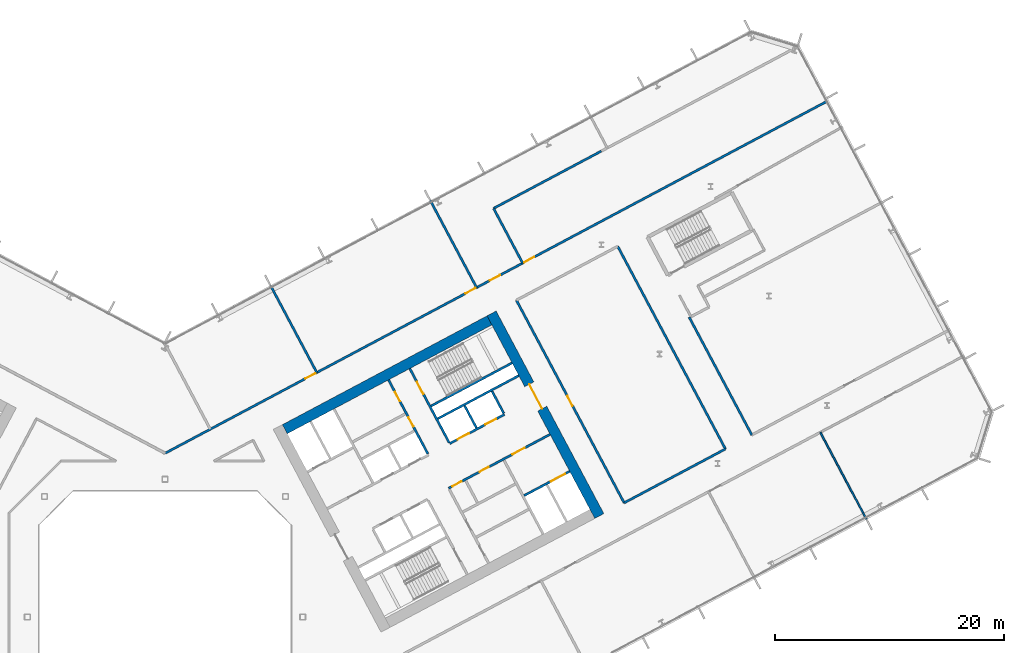
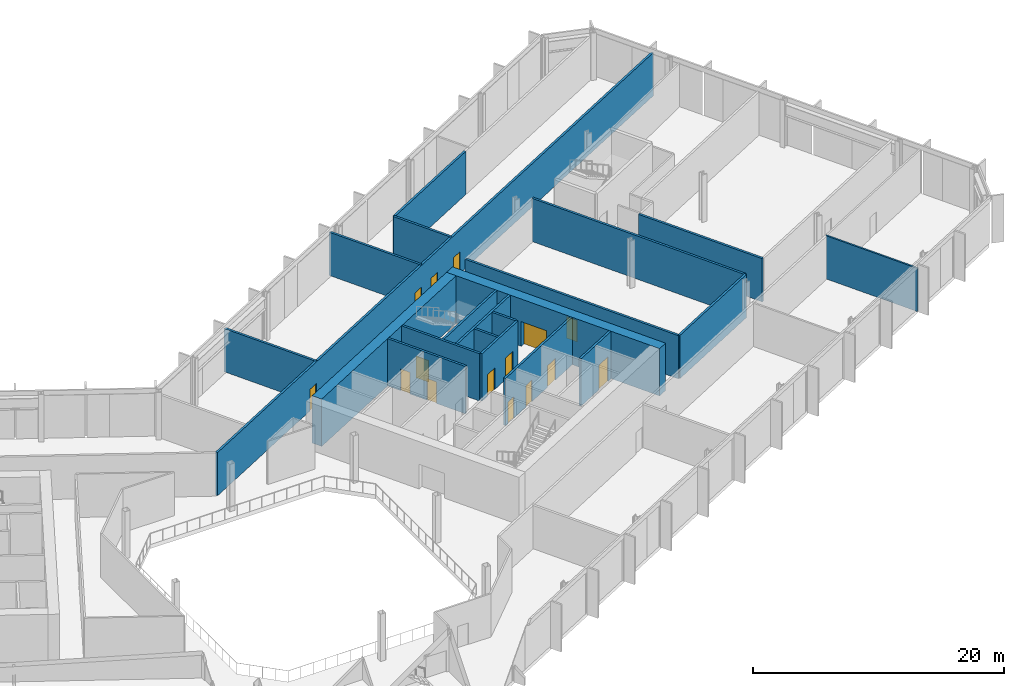
# One storey, part 18 of 31: 21 walls, 15 doors, 15 openings.
"""IFC4 building model written with IfcOpenShell, lengths in metres."""

from ifc_helpers import new_model, si_unit, direction, frame, frame_2d, origin, place, context, subcontext, project, spatial, rectangle, extrude, material, layer, layer_set, type_object, element, fill, save


model = new_model("IFC4")

# Units and contexts
model_context = context("Model", 3, precision=1e-05, world=origin(), true_north=direction((0.0, 1.0)))
body_context = subcontext(model_context, "Body", "Model", "MODEL_VIEW")
ifc_project = project(units=[si_unit("LENGTHUNIT", "METRE"), si_unit("AREAUNIT", "SQUARE_METRE"), si_unit("VOLUMEUNIT", "CUBIC_METRE"), si_unit("PLANEANGLEUNIT", "RADIAN"), si_unit("MASSUNIT", "GRAM", prefix="KILO")], contexts=[model_context])

# Site, building, storey
site_placement = place(None, origin())
site = spatial("IfcSite", under=ifc_project, at=site_placement, CompositionType="ELEMENT")
building_placement = place(site_placement, origin())
building = spatial("IfcBuilding", under=site, at=building_placement, Name="Cormorant Relay Tower", CompositionType="ELEMENT")
storey_placement = place(building_placement, frame((0.0, 0.0, 98.39990234375)))
storey = spatial("IfcBuildingStorey", under=building, at=storey_placement, Name="L19", CompositionType="ELEMENT", Elevation=98.39990234375)

# Wall
ifc_material_1 = material(Name="Concrete 40 MPa", Category="concrete")
ifc_layer_1 = layer(ifc_material_1, 0.199951171875)
ifc_layer_set_1 = layer_set([ifc_layer_1], Name="Core internal wall 200")
wall_type_1 = type_object("IfcWallType", Name="Core internal wall 200", PredefinedType="SOLIDWALL", material=ifc_layer_set_1)
wall_1_placement = place(storey_placement, frame((27.144287109375, 16.471435546875, 0.0), z_axis=(0.0, 0.0, 1.0), x_axis=(-0.469401318492, 0.882984938828, 0.0)))
element("IfcWall", 1, at=wall_1_placement, inside=storey, type_object=wall_type_1, Name="L19 core B shaft and room wall", PredefinedType="SOLIDWALL", context=body_context, shape_type="SweptSolid", body=[
    extrude(rectangle(XDim=2.199951171875, YDim=0.199951171875, at=frame_2d((1.10009765625, 0.0))), origin(), (0.0, 0.0, 1.0), 4.60009765625),
])

# Wall, openings, doors
ifc_material_2 = material(Name="Concrete 50 MPa", Category="concrete")
ifc_layer_2 = layer(ifc_material_2, 0.199951171875)
ifc_layer_set_2 = layer_set([ifc_layer_2], Name="Core shaft wall 200")
wall_type_2 = type_object("IfcWallType", Name="Core shaft wall 200", PredefinedType="SHEAR", material=ifc_layer_set_2)
wall_2_placement = place(storey_placement, frame((22.90625, 14.218017578125, 0.0), z_axis=(0.0, 0.0, 1.0), x_axis=(-0.469480409012, 0.88294288918, 0.0)))
wall_2 = element("IfcWall", 2, at=wall_2_placement, inside=storey, type_object=wall_type_2, Name="L19 core B shaft wall", PredefinedType="SHEAR", context=body_context, shape_type="SweptSolid", body=[
    extrude(rectangle(XDim=7.300048828125, YDim=0.199951171875, at=frame_2d((3.64990234375, 0.0))), origin(), (0.0, 0.0, 1.0), 4.60009765625),
])
opening_1_placement = place(wall_2_placement, frame((2.699951171875, 0.0, 0.0)))
opening_1 = element("IfcOpeningElement", 3, at=opening_1_placement, cuts=wall_2, Name="Opening CDD-141", PredefinedType="OPENING", context=body_context, shape_type="SweptSolid", body=[
    extrude(rectangle(XDim=0.89990234375, YDim=2.10009765625, at=frame_2d((0.449951171875, 1.050048828125))), frame((0.0, 0.10986328125, 0.0), z_axis=(0.0, -1.0, 0.0), x_axis=(1.0, 0.0, 0.0)), (0.0, 0.0, 1.0), 0.219970703125),
])
opening_2_placement = place(wall_2_placement, frame((5.199951171875, 0.0, 0.0)))
opening_2 = element("IfcOpeningElement", 4, at=opening_2_placement, cuts=wall_2, Name="Opening CDD-142", PredefinedType="OPENING", context=body_context, shape_type="SweptSolid", body=[
    extrude(rectangle(XDim=0.89990234375, YDim=2.10009765625, at=frame_2d((0.449951171875, 1.050048828125))), frame((0.0, 0.10986328125, 0.0), z_axis=(0.0, -1.0, 0.0), x_axis=(1.0, 0.0, 0.0)), (0.0, 0.0, 1.0), 0.219970703125),
])
ifc_material_3 = material(Name="Steel fire door", Category="steel")
door_type_1 = type_object("IfcDoorType", Name="Core room door 900x2100", OperationType="SINGLE_SWING_LEFT", PredefinedType="DOOR", material=ifc_material_3)
door_1_placement = place(opening_1_placement, origin())
door_1 = element("IfcDoor", 5, at=door_1_placement, inside=storey, type_object=door_type_1, Name="Core room door 900x2100", OperationType="SINGLE_SWING_RIGHT", OverallHeight=2.10009765625, OverallWidth=0.89990234375, PredefinedType="DOOR", context=body_context, shape_type="SweptSolid", body=[
    extrude(rectangle(XDim=0.89990234375, YDim=2.10009765625, at=frame_2d((0.449951171875, 1.050048828125))), frame((0.0, 0.02490234375, 0.0), z_axis=(0.0, -1.0, 0.0), x_axis=(1.0, 0.0, 0.0)), (0.0, 0.0, 1.0), 0.050048828125),
])
fill(opening_1, door_1)
door_2_placement = place(opening_2_placement, origin())
door_2 = element("IfcDoor", 6, at=door_2_placement, inside=storey, type_object=door_type_1, Name="Core room door 900x2100", OperationType="SINGLE_SWING_LEFT", OverallHeight=2.10009765625, OverallWidth=0.89990234375, PredefinedType="DOOR", context=body_context, shape_type="SweptSolid", body=[
    extrude(rectangle(XDim=0.89990234375, YDim=2.10009765625, at=frame_2d((0.449951171875, 1.050048828125))), frame((0.0, 0.02490234375, 0.0), z_axis=(0.0, -1.0, 0.0), x_axis=(1.0, 0.0, 0.0)), (0.0, 0.0, 1.0), 0.050048828125),
])
fill(opening_2, door_2)

# Wall, opening, door
wall_3_placement = place(storey_placement, frame((24.760498046875, 15.2041015625, 0.0), z_axis=(0.0, 0.0, 1.0), x_axis=(-0.469494272526, 0.882935517501, 0.0)))
wall_3 = element("IfcWall", 7, at=wall_3_placement, inside=storey, type_object=wall_type_2, Name="L19 core B shaft wall", PredefinedType="SHEAR", context=body_context, shape_type="SweptSolid", body=[
    extrude(rectangle(XDim=7.2998046875, YDim=0.199951171875, at=frame_2d((3.64990234375, 0.0))), origin(), (0.0, 0.0, 1.0), 4.60009765625),
])
opening_3_placement = place(wall_3_placement, frame((4.800048828125, 0.0, 0.0)))
opening_3 = element("IfcOpeningElement", 8, at=opening_3_placement, cuts=wall_3, Name="Opening CDB-027", PredefinedType="OPENING", context=body_context, shape_type="SweptSolid", body=[
    extrude(rectangle(XDim=1.199951171875, YDim=2.10009765625, at=frame_2d((0.60009765625, 1.050048828125))), frame((0.0, 0.10986328125, 0.0), z_axis=(0.0, -1.0, 0.0), x_axis=(1.0, 0.0, 0.0)), (0.0, 0.0, 1.0), 0.219970703125),
])
ifc_material_4 = material(Name="Steel fire door", Category="steel")
door_type_2 = type_object("IfcDoorType", Name="Core stair door 1200x2100", OperationType="SINGLE_SWING_LEFT", PredefinedType="DOOR", material=ifc_material_4)
door_3_placement = place(opening_3_placement, frame((1.199951171875, 0.0, 0.0), z_axis=(0.0, 0.0, 1.0), x_axis=(-1.0, 0.0, 0.0)))
door_3 = element("IfcDoor", 9, at=door_3_placement, inside=storey, type_object=door_type_2, Name="Core stair door 1200x2100", OperationType="SINGLE_SWING_RIGHT", OverallHeight=2.10009765625, OverallWidth=1.199951171875, PredefinedType="DOOR", context=body_context, shape_type="SweptSolid", body=[
    extrude(rectangle(XDim=1.199951171875, YDim=2.10009765625, at=frame_2d((0.60009765625, 1.050048828125))), frame((0.0, 0.02490234375, 0.0), z_axis=(0.0, -1.0, 0.0), x_axis=(1.0, 0.0, 0.0)), (0.0, 0.0, 1.0), 0.050048828125),
])
fill(opening_3, door_3)

# Wall
wall_4_placement = place(storey_placement, frame((29.5283203125, 17.739013671875, 0.0), z_axis=(0.0, 0.0, 1.0), x_axis=(-0.469401318492, 0.882984938828, 0.0)))
element("IfcWall", 10, at=wall_4_placement, inside=storey, type_object=wall_type_2, Name="L19 core B shaft wall", PredefinedType="SHEAR", context=body_context, shape_type="SweptSolid", body=[
    extrude(rectangle(XDim=2.199951171875, YDim=0.199951171875, at=frame_2d((1.10009765625, 0.0))), origin(), (0.0, 0.0, 1.0), 4.60009765625),
])

# Wall, opening, door
wall_5_placement = place(storey_placement, frame((31.295654296875, 10.5810546875, 0.0), z_axis=(0.0, 0.0, 1.0), x_axis=(0.882960433586, 0.469447412093, 0.0)))
wall_5 = element("IfcWall", 11, at=wall_5_placement, inside=storey, type_object=wall_type_2, Name="L19 core B shaft wall", PredefinedType="SHEAR", context=body_context, shape_type="SweptSolid", body=[
    extrude(rectangle(XDim=4.5, YDim=0.199951171875, at=frame_2d((2.25, 0.0))), origin(), (0.0, 0.0, 1.0), 4.60009765625),
])
opening_4_placement = place(wall_5_placement, frame((2.64990234375, 0.0, 0.0)))
opening_4 = element("IfcOpeningElement", 12, at=opening_4_placement, cuts=wall_5, Name="Opening LD3-010", PredefinedType="OPENING", context=body_context, shape_type="SweptSolid", body=[
    extrude(rectangle(XDim=1.39990234375, YDim=2.39990234375, at=frame_2d((0.699951171875, 1.199951171875))), frame((0.0, 0.10986328125, 0.0), z_axis=(0.0, -1.0, 0.0), x_axis=(1.0, 0.0, 0.0)), (0.0, 0.0, 1.0), 0.219970703125),
])
ifc_material_5 = material(Name="Stainless steel 316", Category="steel")
door_type_3 = type_object("IfcDoorType", Name="Lift landing door 1400x2400", OperationType="DOUBLE_DOOR_SLIDING", PredefinedType="DOOR", material=ifc_material_5)
door_4_placement = place(opening_4_placement, origin())
door_4 = element("IfcDoor", 13, at=door_4_placement, inside=storey, type_object=door_type_3, Name="SV2 landing door", OperationType="DOUBLE_DOOR_SLIDING", OverallHeight=2.39990234375, OverallWidth=1.39990234375, PredefinedType="DOOR", context=body_context, shape_type="SweptSolid", body=[
    extrude(rectangle(XDim=1.39990234375, YDim=2.39990234375, at=frame_2d((0.699951171875, 1.199951171875))), frame((0.0, 0.02490234375, 0.0), z_axis=(0.0, -1.0, 0.0), x_axis=(1.0, 0.0, 0.0)), (0.0, 0.0, 1.0), 0.050048828125),
])
fill(opening_4, door_4)

# Wall, openings, doors
wall_6_placement = place(storey_placement, frame((24.72607421875, 11.2216796875, 0.0), z_axis=(0.0, 0.0, 1.0), x_axis=(0.882940221191, 0.469485426614, 0.0)))
wall_6 = element("IfcWall", 14, at=wall_6_placement, inside=storey, type_object=wall_type_2, Name="L19 core B shaft wall", PredefinedType="SHEAR", context=body_context, shape_type="SweptSolid", body=[
    extrude(rectangle(XDim=10.0, YDim=0.199951171875, at=frame_2d((5.0, 0.0))), origin(), (0.0, 0.0, 1.0), 4.60009765625),
])
opening_5_placement = place(wall_6_placement, frame((6.300048828125, 0.0, 0.0)))
opening_5 = element("IfcOpeningElement", 15, at=opening_5_placement, cuts=wall_6, Name="Opening CDC-020", PredefinedType="OPENING", context=body_context, shape_type="SweptSolid", body=[
    extrude(rectangle(XDim=1.199951171875, YDim=2.10009765625, at=frame_2d((0.60009765625, 1.050048828125))), frame((0.0, 0.10986328125, 0.0), z_axis=(0.0, -1.0, 0.0), x_axis=(1.0, 0.0, 0.0)), (0.0, 0.0, 1.0), 0.219970703125),
])
opening_6_placement = place(wall_6_placement, frame((0.360107421875, 0.0, 0.0)))
opening_6 = element("IfcOpeningElement", 16, at=opening_6_placement, cuts=wall_6, Name="Opening CDD-119", PredefinedType="OPENING", context=body_context, shape_type="SweptSolid", body=[
    extrude(rectangle(XDim=0.89990234375, YDim=2.10009765625, at=frame_2d((0.449951171875, 1.050048828125))), frame((0.0, 0.10986328125, 0.0), z_axis=(0.0, -1.0, 0.0), x_axis=(1.0, 0.0, 0.0)), (0.0, 0.0, 1.0), 0.219970703125),
])
opening_7_placement = place(wall_6_placement, frame((3.06005859375, 0.0, 0.0)))
opening_7 = element("IfcOpeningElement", 17, at=opening_7_placement, cuts=wall_6, Name="Opening CDD-120", PredefinedType="OPENING", context=body_context, shape_type="SweptSolid", body=[
    extrude(rectangle(XDim=0.89990234375, YDim=2.10009765625, at=frame_2d((0.449951171875, 1.050048828125))), frame((0.0, 0.10986328125, 0.0), z_axis=(0.0, -1.0, 0.0), x_axis=(1.0, 0.0, 0.0)), (0.0, 0.0, 1.0), 0.219970703125),
])
ifc_material_6 = material(Name="Steel fire door", Category="steel")
door_type_4 = type_object("IfcDoorType", Name="Core lobby door 1200x2100", OperationType="SINGLE_SWING_LEFT", PredefinedType="DOOR", material=ifc_material_6)
door_5_placement = place(opening_5_placement, frame((1.199951171875, 0.0, 0.0), z_axis=(0.0, 0.0, 1.0), x_axis=(-1.0, 0.0, 0.0)))
door_5 = element("IfcDoor", 18, at=door_5_placement, inside=storey, type_object=door_type_4, Name="Core lobby door 1200x2100", OperationType="SINGLE_SWING_RIGHT", OverallHeight=2.10009765625, OverallWidth=1.199951171875, PredefinedType="DOOR", context=body_context, shape_type="SweptSolid", body=[
    extrude(rectangle(XDim=1.199951171875, YDim=2.10009765625, at=frame_2d((0.60009765625, 1.050048828125))), frame((0.0, 0.02490234375, 0.0), z_axis=(0.0, -1.0, 0.0), x_axis=(1.0, 0.0, 0.0)), (0.0, 0.0, 1.0), 0.050048828125),
])
fill(opening_5, door_5)
door_6_placement = place(opening_6_placement, frame((0.89990234375, 0.0, 0.0), z_axis=(0.0, 0.0, 1.0), x_axis=(-1.0, 0.0, 0.0)))
door_6 = element("IfcDoor", 19, at=door_6_placement, inside=storey, type_object=door_type_1, Name="Core room door 900x2100", OperationType="SINGLE_SWING_RIGHT", OverallHeight=2.10009765625, OverallWidth=0.89990234375, PredefinedType="DOOR", context=body_context, shape_type="SweptSolid", body=[
    extrude(rectangle(XDim=0.89990234375, YDim=2.10009765625, at=frame_2d((0.449951171875, 1.050048828125))), frame((0.0, 0.02490234375, 0.0), z_axis=(0.0, -1.0, 0.0), x_axis=(1.0, 0.0, 0.0)), (0.0, 0.0, 1.0), 0.050048828125),
])
fill(opening_6, door_6)
door_7_placement = place(opening_7_placement, frame((0.89990234375, 0.0, 0.0), z_axis=(0.0, 0.0, 1.0), x_axis=(-1.0, 0.0, 0.0)))
door_7 = element("IfcDoor", 20, at=door_7_placement, inside=storey, type_object=door_type_1, Name="Core room door 900x2100", OperationType="SINGLE_SWING_RIGHT", OverallHeight=2.10009765625, OverallWidth=0.89990234375, PredefinedType="DOOR", context=body_context, shape_type="SweptSolid", body=[
    extrude(rectangle(XDim=0.89990234375, YDim=2.10009765625, at=frame_2d((0.449951171875, 1.050048828125))), frame((0.0, 0.02490234375, 0.0), z_axis=(0.0, -1.0, 0.0), x_axis=(1.0, 0.0, 0.0)), (0.0, 0.0, 1.0), 0.050048828125),
])
fill(opening_7, door_7)

wall_7_placement = place(storey_placement, frame((24.807373046875, 15.11572265625, 0.0), z_axis=(0.0, 0.0, 1.0), x_axis=(0.882942972946, 0.469480251476, 0.0)))
wall_7 = element("IfcWall", 21, at=wall_7_placement, inside=storey, type_object=wall_type_2, Name="L19 core B shaft wall", PredefinedType="SHEAR", context=body_context, shape_type="SweptSolid", body=[
    extrude(rectangle(XDim=5.39990234375, YDim=0.199951171875, at=frame_2d((2.699951171875, 0.0))), origin(), (0.0, 0.0, 1.0), 4.60009765625),
])
opening_8_placement = place(wall_7_placement, frame((0.800048828125, 0.0, 0.0)))
opening_8 = element("IfcOpeningElement", 22, at=opening_8_placement, cuts=wall_7, Name="Opening LD1-030", PredefinedType="OPENING", context=body_context, shape_type="SweptSolid", body=[
    extrude(rectangle(XDim=1.10009765625, YDim=2.10009765625, at=frame_2d((0.550048828125, 1.050048828125))), frame((0.0, 0.10986328125, 0.0), z_axis=(0.0, -1.0, 0.0), x_axis=(1.0, 0.0, 0.0)), (0.0, 0.0, 1.0), 0.219970703125),
])
opening_9_placement = place(wall_7_placement, frame((3.5, 0.0, 0.0)))
opening_9 = element("IfcOpeningElement", 23, at=opening_9_placement, cuts=wall_7, Name="Opening LD1-031", PredefinedType="OPENING", context=body_context, shape_type="SweptSolid", body=[
    extrude(rectangle(XDim=1.10009765625, YDim=2.10009765625, at=frame_2d((0.550048828125, 1.050048828125))), frame((0.0, 0.10986328125, 0.0), z_axis=(0.0, -1.0, 0.0), x_axis=(1.0, 0.0, 0.0)), (0.0, 0.0, 1.0), 0.219970703125),
])
ifc_material_7 = material(Name="Stainless steel 316", Category="steel")
door_type_5 = type_object("IfcDoorType", Name="Lift landing door 1100x2100", OperationType="DOUBLE_DOOR_SLIDING", PredefinedType="DOOR", material=ifc_material_7)
door_8_placement = place(opening_8_placement, origin())
door_8 = element("IfcDoor", 24, at=door_8_placement, inside=storey, type_object=door_type_5, Name="LR3 landing door", OperationType="DOUBLE_DOOR_SLIDING", OverallHeight=2.10009765625, OverallWidth=1.10009765625, PredefinedType="DOOR", context=body_context, shape_type="SweptSolid", body=[
    extrude(rectangle(XDim=1.10009765625, YDim=2.10009765625, at=frame_2d((0.550048828125, 1.050048828125))), frame((0.0, 0.02490234375, 0.0), z_axis=(0.0, -1.0, 0.0), x_axis=(1.0, 0.0, 0.0)), (0.0, 0.0, 1.0), 0.050048828125),
])
fill(opening_8, door_8)
door_9_placement = place(opening_9_placement, origin())
door_9 = element("IfcDoor", 25, at=door_9_placement, inside=storey, type_object=door_type_5, Name="LR4 landing door", OperationType="DOUBLE_DOOR_SLIDING", OverallHeight=2.10009765625, OverallWidth=1.10009765625, PredefinedType="DOOR", context=body_context, shape_type="SweptSolid", body=[
    extrude(rectangle(XDim=1.10009765625, YDim=2.10009765625, at=frame_2d((0.550048828125, 1.050048828125))), frame((0.0, 0.02490234375, 0.0), z_axis=(0.0, -1.0, 0.0), x_axis=(1.0, 0.0, 0.0)), (0.0, 0.0, 1.0), 0.050048828125),
])
fill(opening_9, door_9)

# Walls
wall_8_placement = place(storey_placement, frame((23.76904296875, 17.28173828125, 0.0), z_axis=(0.0, 0.0, 1.0), x_axis=(0.882940221191, 0.469485426614, 0.0)))
element("IfcWall", 26, at=wall_8_placement, inside=storey, type_object=wall_type_2, Name="L19 core B shaft wall", PredefinedType="SHEAR", context=body_context, shape_type="SweptSolid", body=[
    extrude(rectangle(XDim=8.0, YDim=0.199951171875, at=frame_2d((4.0, 0.0))), origin(), (0.0, 0.0, 1.0), 4.60009765625),
])
wall_9_placement = place(storey_placement, frame((23.18212890625, 18.385498046875, 0.0), z_axis=(0.0, 0.0, 1.0), x_axis=(0.88295287151, 0.469461634952, 0.0)))
element("IfcWall", 27, at=wall_9_placement, inside=storey, type_object=wall_type_2, Name="L19 core B shaft wall", PredefinedType="SHEAR", context=body_context, shape_type="SweptSolid", body=[
    extrude(rectangle(XDim=7.999755859375, YDim=0.199951171875, at=frame_2d((4.0, 0.0))), origin(), (0.0, 0.0, 1.0), 4.60009765625),
])

# Wall, opening, door
ifc_material_8 = material(Name="Concrete 70 MPa", Category="concrete")
ifc_layer_3 = layer(ifc_material_8, 0.89990234375)
ifc_layer_set_3 = layer_set([ifc_layer_3], Name="Core wall 900")
wall_type_3 = type_object("IfcWallType", Name="Core wall 900", PredefinedType="SHEAR", material=ifc_layer_set_3)
wall_10_placement = place(storey_placement, frame((37.849365234375, 8.799072265625, 0.0), z_axis=(0.0, 0.0, 1.0), x_axis=(-0.469465789982, 0.882950662289, 0.0)))
wall_10 = element("IfcWall", 28, at=wall_10_placement, inside=storey, type_object=wall_type_3, Name="L19 core B wall", PredefinedType="SHEAR", context=body_context, shape_type="SweptSolid", body=[
    extrude(rectangle(XDim=20.000244140625, YDim=0.89990234375, at=frame_2d((10.0, 0.0))), origin(), (0.0, 0.0, 1.0), 4.60009765625),
])
opening_10_placement = place(wall_10_placement, frame((10.60009765625, 0.0, 0.0)))
opening_10 = element("IfcOpeningElement", 29, at=opening_10_placement, cuts=wall_10, Name="Opening CDA-020", PredefinedType="OPENING", context=body_context, shape_type="SweptSolid", body=[
    extrude(rectangle(XDim=2.39990234375, YDim=2.39990234375, at=frame_2d((1.199951171875, 1.199951171875))), frame((0.0, 0.4599609375, 0.0), z_axis=(0.0, -1.0, 0.0), x_axis=(1.0, 0.0, 0.0)), (0.0, 0.0, 1.0), 0.919921875),
])
ifc_material_9 = material(Name="Steel fire door", Category="steel")
door_type_6 = type_object("IfcDoorType", Name="Core lobby door 2400x2400", OperationType="DOUBLE_DOOR_SINGLE_SWING", PredefinedType="DOOR", material=ifc_material_9)
door_10_placement = place(opening_10_placement, origin())
door_10 = element("IfcDoor", 30, at=door_10_placement, inside=storey, type_object=door_type_6, Name="Core lobby door 2400x2400", OperationType="DOUBLE_DOOR_SINGLE_SWING", OverallHeight=2.39990234375, OverallWidth=2.39990234375, PredefinedType="DOOR", context=body_context, shape_type="SweptSolid", body=[
    extrude(rectangle(XDim=2.39990234375, YDim=2.39990234375, at=frame_2d((1.199951171875, 1.199951171875))), frame((0.0, 0.02490234375, 0.0), z_axis=(0.0, -1.0, 0.0), x_axis=(1.0, 0.0, 0.0)), (0.0, 0.0, 1.0), 0.050048828125),
])
fill(opening_10, door_10)

# Wall
wall_11_placement = place(storey_placement, frame((10.4384765625, 16.3662109375, 0.0), z_axis=(0.0, 0.0, 1.0), x_axis=(0.88294509198, 0.469476266226, 0.0)))
element("IfcWall", 31, at=wall_11_placement, inside=storey, type_object=wall_type_3, Name="L19 core B wall", PredefinedType="SHEAR", context=body_context, shape_type="SweptSolid", body=[
    extrude(rectangle(XDim=20.199951171875, YDim=0.89990234375, at=frame_2d((10.10009765625, 0.0))), origin(), (0.0, 0.0, 1.0), 4.60009765625),
])

# Wall, openings, doors
ifc_material_10 = material(Name="Fire-rated gypsum board partition")
ifc_layer_4 = layer(ifc_material_10, 0.199951171875)
ifc_layer_set_4 = layer_set([ifc_layer_4], Name="Fire-rated gypsum partition 200")
wall_type_4 = type_object("IfcWallType", Name="Fire-rated gypsum partition 200", PredefinedType="PARTITIONING", material=ifc_layer_set_4)
wall_12_placement = place(storey_placement, frame((0.0, 14.27001953125, 0.0), z_axis=(0.0, 0.0, 1.0), x_axis=(0.882946949892, 0.46947277203, 0.0)))
wall_12 = element("IfcWall", 32, at=wall_12_placement, inside=storey, type_object=wall_type_4, Name="wall/L19/part/15", PredefinedType="PARTITIONING", context=body_context, shape_type="SweptSolid", body=[
    extrude(rectangle(XDim=65.5009765625, YDim=0.199951171875, at=frame_2d((32.75048828125, 0.0))), origin(), (0.0, 0.0, 1.0), 4.2001953125),
])
opening_11_placement = place(wall_12_placement, frame((35.449951171875, 0.0, 0.0)))
opening_11 = element("IfcOpeningElement", 33, at=opening_11_placement, cuts=wall_12, Name="Opening FD1-110", PredefinedType="OPENING", context=body_context, shape_type="SweptSolid", body=[
    extrude(rectangle(XDim=1.0, YDim=2.10009765625, at=frame_2d((0.5, 1.050048828125))), frame((0.0, 0.10986328125, 0.0), z_axis=(0.0, -1.0, 0.0), x_axis=(1.0, 0.0, 0.0)), (0.0, 0.0, 1.0), 0.219970703125),
])
opening_12_placement = place(wall_12_placement, frame((32.050048828125, 0.0, 0.0)))
opening_12 = element("IfcOpeningElement", 34, at=opening_12_placement, cuts=wall_12, Name="Opening FD1-111", PredefinedType="OPENING", context=body_context, shape_type="SweptSolid", body=[
    extrude(rectangle(XDim=1.0, YDim=2.10009765625, at=frame_2d((0.5, 1.050048828125))), frame((0.0, 0.10986328125, 0.0), z_axis=(0.0, -1.0, 0.0), x_axis=(1.0, 0.0, 0.0)), (0.0, 0.0, 1.0), 0.219970703125),
])
opening_13_placement = place(wall_12_placement, frame((29.64990234375, 0.0, 0.0)))
opening_13 = element("IfcOpeningElement", 35, at=opening_13_placement, cuts=wall_12, Name="Opening FD1-112", PredefinedType="OPENING", context=body_context, shape_type="SweptSolid", body=[
    extrude(rectangle(XDim=1.0, YDim=2.10009765625, at=frame_2d((0.5, 1.050048828125))), frame((0.0, 0.10986328125, 0.0), z_axis=(0.0, -1.0, 0.0), x_axis=(1.0, 0.0, 0.0)), (0.0, 0.0, 1.0), 0.219970703125),
])
opening_14_placement = place(wall_12_placement, frame((13.85009765625, 0.0, 0.0)))
opening_14 = element("IfcOpeningElement", 36, at=opening_14_placement, cuts=wall_12, Name="Opening FD1-113", PredefinedType="OPENING", context=body_context, shape_type="SweptSolid", body=[
    extrude(rectangle(XDim=1.0, YDim=2.10009765625, at=frame_2d((0.5, 1.050048828125))), frame((0.0, 0.10986328125, 0.0), z_axis=(0.0, -1.0, 0.0), x_axis=(1.0, 0.0, 0.0)), (0.0, 0.0, 1.0), 0.219970703125),
])
ifc_material_11 = material(Name="Fire-rated steel door", Category="steel")
door_type_7 = type_object("IfcDoorType", Name="Fire door 1000 x 2100", OperationType="SINGLE_SWING_LEFT", PredefinedType="DOOR", material=ifc_material_11)
door_11_placement = place(opening_11_placement, origin())
door_11 = element("IfcDoor", 37, at=door_11_placement, inside=storey, type_object=door_type_7, Name="door/L19/5", OperationType="SINGLE_SWING_LEFT", OverallHeight=2.10009765625, OverallWidth=1.0, PredefinedType="DOOR", context=body_context, shape_type="SweptSolid", body=[
    extrude(rectangle(XDim=1.0, YDim=2.10009765625, at=frame_2d((0.5, 1.050048828125))), frame((0.0, 0.02490234375, 0.0), z_axis=(0.0, -1.0, 0.0), x_axis=(1.0, 0.0, 0.0)), (0.0, 0.0, 1.0), 0.050048828125),
])
fill(opening_11, door_11)
door_12_placement = place(opening_12_placement, origin())
door_12 = element("IfcDoor", 38, at=door_12_placement, inside=storey, type_object=door_type_7, Name="door/L19/6", OperationType="SINGLE_SWING_LEFT", OverallHeight=2.10009765625, OverallWidth=1.0, PredefinedType="DOOR", context=body_context, shape_type="SweptSolid", body=[
    extrude(rectangle(XDim=1.0, YDim=2.10009765625, at=frame_2d((0.5, 1.050048828125))), frame((0.0, 0.02490234375, 0.0), z_axis=(0.0, -1.0, 0.0), x_axis=(1.0, 0.0, 0.0)), (0.0, 0.0, 1.0), 0.050048828125),
])
fill(opening_12, door_12)
door_13_placement = place(opening_13_placement, origin())
door_13 = element("IfcDoor", 39, at=door_13_placement, inside=storey, type_object=door_type_7, Name="door/L19/7", OperationType="SINGLE_SWING_RIGHT", OverallHeight=2.10009765625, OverallWidth=1.0, PredefinedType="DOOR", context=body_context, shape_type="SweptSolid", body=[
    extrude(rectangle(XDim=1.0, YDim=2.10009765625, at=frame_2d((0.5, 1.050048828125))), frame((0.0, 0.02490234375, 0.0), z_axis=(0.0, -1.0, 0.0), x_axis=(1.0, 0.0, 0.0)), (0.0, 0.0, 1.0), 0.050048828125),
])
fill(opening_13, door_13)
door_14_placement = place(opening_14_placement, origin())
door_14 = element("IfcDoor", 40, at=door_14_placement, inside=storey, type_object=door_type_7, Name="door/L19/8", OperationType="SINGLE_SWING_RIGHT", OverallHeight=2.10009765625, OverallWidth=1.0, PredefinedType="DOOR", context=body_context, shape_type="SweptSolid", body=[
    extrude(rectangle(XDim=1.0, YDim=2.10009765625, at=frame_2d((0.5, 1.050048828125))), frame((0.0, 0.02490234375, 0.0), z_axis=(0.0, -1.0, 0.0), x_axis=(1.0, 0.0, 0.0)), (0.0, 0.0, 1.0), 0.050048828125),
])
fill(opening_14, door_14)

# Walls
wall_13_placement = place(storey_placement, frame((9.19091796875, 28.89794921875, 0.0), z_axis=(0.0, 0.0, 1.0), x_axis=(0.469409112223, -0.882980795579, 0.0)))
element("IfcWall", 41, at=wall_13_placement, inside=storey, type_object=wall_type_4, Name="wall/L19/part/26", PredefinedType="PARTITIONING", context=body_context, shape_type="SweptSolid", body=[
    extrude(rectangle(XDim=8.600341796875, YDim=0.199951171875, at=frame_2d((4.30029296875, 0.0))), origin(), (0.0, 0.0, 1.0), 4.2001953125),
])
wall_14_placement = place(storey_placement, frame((23.116943359375, 36.302001953125, 0.0), z_axis=(0.0, 0.0, 1.0), x_axis=(0.469544705103, -0.882908698513, 0.0)))
element("IfcWall", 42, at=wall_14_placement, inside=storey, type_object=wall_type_4, Name="wall/L19/part/32", PredefinedType="PARTITIONING", context=body_context, shape_type="SweptSolid", body=[
    extrude(rectangle(XDim=8.60009765625, YDim=0.199951171875, at=frame_2d((4.300048828125, 0.0))), origin(), (0.0, 0.0, 1.0), 4.2001953125),
])
wall_15_placement = place(storey_placement, frame((31.159912109375, 30.85791015625, 0.0), z_axis=(0.0, 0.0, 1.0), x_axis=(-0.469406117912, 0.882982387404, 0.0)))
element("IfcWall", 43, at=wall_15_placement, inside=storey, type_object=wall_type_4, Name="wall/L19/part/35", PredefinedType="PARTITIONING", context=body_context, shape_type="SweptSolid", body=[
    extrude(rectangle(XDim=5.383056640625, YDim=0.199951171875, at=frame_2d((2.69140625, 0.0))), origin(), (0.0, 0.0, 1.0), 4.2001953125),
])
wall_16_placement = place(storey_placement, frame((28.633056640625, 35.611083984375, 0.0), z_axis=(0.0, 0.0, 1.0), x_axis=(0.882930875779, 0.469503001691, 0.0)))
element("IfcWall", 44, at=wall_16_placement, inside=storey, type_object=wall_type_4, Name="wall/L19/part/36", PredefinedType="PARTITIONING", context=body_context, shape_type="SweptSolid", body=[
    extrude(rectangle(XDim=10.640625, YDim=0.199951171875, at=frame_2d((5.3203125, 0.0))), origin(), (0.0, 0.0, 1.0), 4.2001953125),
])
wall_17_placement = place(storey_placement, frame((45.678955078125, 26.1318359375, 0.0), z_axis=(0.0, 0.0, 1.0), x_axis=(0.469471943685, -0.882947390331, 0.0)))
element("IfcWall", 45, at=wall_17_placement, inside=storey, type_object=wall_type_4, Name="wall/L19/part/43", PredefinedType="PARTITIONING", context=body_context, shape_type="SweptSolid", body=[
    extrude(rectangle(XDim=11.6279296875, YDim=0.199951171875, at=frame_2d((5.81396484375, 0.0))), origin(), (0.0, 0.0, 1.0), 4.2001953125),
])
wall_18_placement = place(storey_placement, frame((39.452880859375, 32.302978515625, 0.0), z_axis=(0.0, 0.0, 1.0), x_axis=(0.469461333319, -0.882953031887, 0.0)))
element("IfcWall", 46, at=wall_18_placement, inside=storey, type_object=wall_type_4, Name="wall/L19/part/66", PredefinedType="PARTITIONING", context=body_context, shape_type="SweptSolid", body=[
    extrude(rectangle(XDim=19.999755859375, YDim=0.199951171875, at=frame_2d((10.0, 0.0))), origin(), (0.0, 0.0, 1.0), 4.2001953125),
])
wall_19_placement = place(storey_placement, frame((48.842041015625, 14.64404296875, 0.0), z_axis=(0.0, 0.0, 1.0), x_axis=(-0.882924718888, -0.46951457994, 0.0)))
element("IfcWall", 47, at=wall_19_placement, inside=storey, type_object=wall_type_4, Name="wall/L19/part/67", PredefinedType="PARTITIONING", context=body_context, shape_type="SweptSolid", body=[
    extrude(rectangle(XDim=9.999755859375, YDim=0.199951171875, at=frame_2d((5.0, 0.0))), origin(), (0.0, 0.0, 1.0), 4.2001953125),
])

# Wall, opening, door
wall_20_placement = place(storey_placement, frame((40.012939453125, 9.948974609375, 0.0), z_axis=(0.0, 0.0, 1.0), x_axis=(-0.469489882812, 0.882937851685, 0.0)))
wall_20 = element("IfcWall", 48, at=wall_20_placement, inside=storey, type_object=wall_type_4, Name="wall/L19/part/68", PredefinedType="PARTITIONING", context=body_context, shape_type="SweptSolid", body=[
    extrude(rectangle(XDim=20.000244140625, YDim=0.199951171875, at=frame_2d((10.0, 0.0))), origin(), (0.0, 0.0, 1.0), 4.2001953125),
])
opening_15_placement = place(wall_20_placement, frame((9.550048828125, 0.0, 0.0)))
opening_15 = element("IfcOpeningElement", 49, at=opening_15_placement, cuts=wall_20, Name="Opening FD1-108", PredefinedType="OPENING", context=body_context, shape_type="SweptSolid", body=[
    extrude(rectangle(XDim=1.0, YDim=2.10009765625, at=frame_2d((0.5, 1.050048828125))), frame((0.0, 0.10986328125, 0.0), z_axis=(0.0, -1.0, 0.0), x_axis=(1.0, 0.0, 0.0)), (0.0, 0.0, 1.0), 0.219970703125),
])
door_15_placement = place(opening_15_placement, origin())
door_15 = element("IfcDoor", 50, at=door_15_placement, inside=storey, type_object=door_type_7, Name="door/L19/21", OperationType="SINGLE_SWING_RIGHT", OverallHeight=2.10009765625, OverallWidth=1.0, PredefinedType="DOOR", context=body_context, shape_type="SweptSolid", body=[
    extrude(rectangle(XDim=1.0, YDim=2.10009765625, at=frame_2d((0.5, 1.050048828125))), frame((0.0, 0.02490234375, 0.0), z_axis=(0.0, -1.0, 0.0), x_axis=(1.0, 0.0, 0.0)), (0.0, 0.0, 1.0), 0.050048828125),
])
fill(opening_15, door_15)

# Wall
ifc_material_12 = material(Name="Gypsum board partition")
ifc_layer_5 = layer(ifc_material_12, 0.14990234375)
ifc_layer_set_5 = layer_set([ifc_layer_5], Name="Gypsum board partition 150")
wall_type_5 = type_object("IfcWallType", Name="Gypsum board partition 150", PredefinedType="PARTITIONING", material=ifc_layer_set_5)
wall_21_placement = place(storey_placement, frame((57.10498046875, 16.093017578125, 0.0), z_axis=(0.0, 0.0, 1.0), x_axis=(0.469409112223, -0.882980795579, 0.0)))
element("IfcWall", 51, at=wall_21_placement, inside=storey, type_object=wall_type_5, Name="wall/L19/part/51", PredefinedType="PARTITIONING", context=body_context, shape_type="SweptSolid", body=[
    extrude(rectangle(XDim=8.600341796875, YDim=0.14990234375, at=frame_2d((4.30029296875, 0.0))), origin(), (0.0, 0.0, 1.0), 4.2001953125),
])

save(model, "model.ifc")
